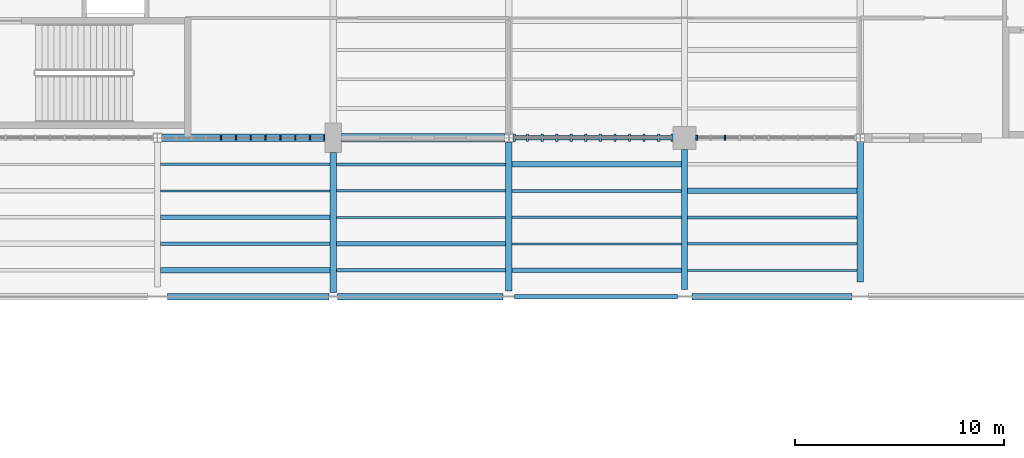
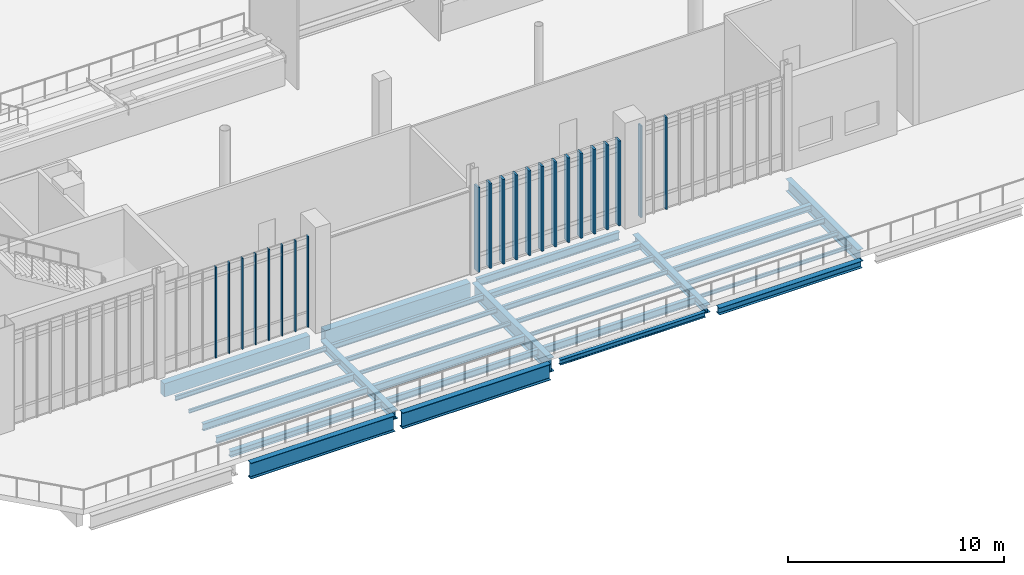
# One storey, part 10 of 135: 30 beams, 22 members, 3 elements without a shape of their own.
"""IFC4 building model written with IfcOpenShell, lengths in metres."""

from ifc_helpers import new_model, si_unit, direction, frame, origin, origin_2d, place, context, subcontext, project, spatial, rectangle, i_section, extrude, material, material_profile, profile_set, type_object, element, aggregate, save


model = new_model("IFC4")

# Units and contexts
model_context = context("Model", 3, precision=1e-05, world=origin(), true_north=direction((0.0, 1.0)))
body_context = subcontext(model_context, "Body", "Model", "MODEL_VIEW")
ifc_project = project(units=[si_unit("LENGTHUNIT", "METRE"), si_unit("AREAUNIT", "SQUARE_METRE"), si_unit("VOLUMEUNIT", "CUBIC_METRE"), si_unit("PLANEANGLEUNIT", "RADIAN"), si_unit("MASSUNIT", "GRAM", prefix="KILO")], contexts=[model_context])

# Site, building, storey
site_placement = place(None, origin())
site = spatial("IfcSite", under=ifc_project, at=site_placement, CompositionType="ELEMENT")
building_placement = place(site_placement, origin())
building = spatial("IfcBuilding", under=site, at=building_placement, Name="Larkvane Passage Sports Hall", CompositionType="ELEMENT")
storey_placement = place(building_placement, frame((0.0, 0.0, 10.800048828125)))
storey = spatial("IfcBuildingStorey", under=building, at=storey_placement, Name="L02", CompositionType="ELEMENT", Elevation=10.800048828125)

# Beams
ifc_material_1 = material(Name="Steel S355JR", Category="steel")
ifc_material_profile_1 = material_profile(ifc_material_1, i_section(OverallWidth=0.199951171875, OverallDepth=0.2939453125, WebThickness=0.008056640625, FlangeThickness=0.011962890625, FilletRadius=0.012939453125, at=origin_2d()), Name="H-294x200x8x12")
ifc_profile_set_1 = profile_set([ifc_material_profile_1], Name="Steel S355JR")
beam_type_1 = type_object("IfcBeamType", Name="BM-STL-H294", PredefinedType="BEAM", material=ifc_profile_set_1)
beam_1_placement = place(storey_placement, frame((60.27490234375, 15.199951171875, -0.567138671875), z_axis=(1.0, 0.0, 0.0), x_axis=(0.0, 1.0, 0.0)))
element("IfcBeam", 1, at=beam_1_placement, inside=storey, type_object=beam_type_1, Name="Girder BM5-X-L02-C-0677", PredefinedType="BEAM", context=body_context, shape_type="SweptSolid", body=[
    extrude(i_section(OverallWidth=0.199951171875, OverallDepth=0.2939453125, WebThickness=0.008056640625, FlangeThickness=0.011962890625, FilletRadius=0.012939453125, at=origin_2d()), origin(), (0.0, 0.0, 1.0), 7.775146484375),
])
ifc_material_profile_2 = material_profile(ifc_material_1, i_section(OverallWidth=0.300048828125, OverallDepth=0.389892578125, WebThickness=0.010009765625, FlangeThickness=0.01611328125, FilletRadius=0.01806640625, at=origin_2d()), Name="H-390x300x10x16")
ifc_profile_set_2 = profile_set([ifc_material_profile_2], Name="Steel S355JR")
beam_type_2 = type_object("IfcBeamType", Name="BM-STL-H390", PredefinedType="BEAM", material=ifc_profile_set_2)
beam_2_placement = place(storey_placement, frame((68.75, 15.199951171875, -0.614990234375), z_axis=(1.0, 0.0, 0.0), x_axis=(0.0, 1.0, 0.0)))
element("IfcBeam", 2, at=beam_2_placement, inside=storey, type_object=beam_type_2, Name="Girder BM5-X-L02-C-0678", PredefinedType="BEAM", context=body_context, shape_type="SweptSolid", body=[
    extrude(i_section(OverallWidth=0.300048828125, OverallDepth=0.389892578125, WebThickness=0.010009765625, FlangeThickness=0.01611328125, FilletRadius=0.01806640625, at=origin_2d()), origin(), (0.0, 0.0, 1.0), 7.64990234375),
])
ifc_material_profile_3 = material_profile(ifc_material_1, i_section(OverallWidth=0.300048828125, OverallDepth=0.43994140625, WebThickness=0.010986328125, FlangeThickness=0.01806640625, FilletRadius=0.01806640625, at=origin_2d()), Name="H-440x300x11x18")
ifc_profile_set_3 = profile_set([ifc_material_profile_3], Name="Steel S355JR")
beam_type_3 = type_object("IfcBeamType", Name="BM-STL-H440", PredefinedType="BEAM", material=ifc_profile_set_3)
beam_3_placement = place(storey_placement, frame((68.39990234375, 15.550048828125, -0.64013671875), z_axis=(0.0, 1.0, 0.0), x_axis=(-1.0, 0.0, 0.0)))
element("IfcBeam", 3, at=beam_3_placement, inside=storey, type_object=beam_type_3, Name="Girder BM5-Y-L02-10-0757", PredefinedType="BEAM", context=body_context, shape_type="SweptSolid", body=[
    extrude(i_section(OverallWidth=0.300048828125, OverallDepth=0.43994140625, WebThickness=0.010986328125, FlangeThickness=0.01806640625, FilletRadius=0.01806640625, at=origin_2d()), origin(), (0.0, 0.0, 1.0), 6.699951171875),
])
ifc_material_profile_4 = material_profile(ifc_material_1, i_section(OverallWidth=0.300048828125, OverallDepth=0.488037109375, WebThickness=0.010986328125, FlangeThickness=0.01806640625, FilletRadius=0.02197265625, at=origin_2d()), Name="H-488x300x11x18")
ifc_profile_set_4 = profile_set([ifc_material_profile_4], Name="Steel S355JR")
beam_type_4 = type_object("IfcBeamType", Name="BM-STL-H488", PredefinedType="BEAM", material=ifc_profile_set_4)
beam_4_placement = place(storey_placement, frame((51.60009765625, 15.4033203125, -0.6640625), z_axis=(0.0, 1.0, 0.0), x_axis=(-1.0, 0.0, 0.0)))
element("IfcBeam", 4, at=beam_4_placement, inside=storey, type_object=beam_type_4, Name="Girder BM5-Y-L02-8-0745", PredefinedType="BEAM", context=body_context, shape_type="SweptSolid", body=[
    extrude(i_section(OverallWidth=0.300048828125, OverallDepth=0.488037109375, WebThickness=0.010986328125, FlangeThickness=0.01806640625, FilletRadius=0.02197265625, at=origin_2d()), origin(), (0.0, 0.0, 1.0), 6.69677734375),
])
ifc_material_2 = material(Name="Steel S460N", Category="steel")
ifc_material_profile_5 = material_profile(ifc_material_2, i_section(OverallWidth=0.300048828125, OverallDepth=0.699951171875, WebThickness=0.012939453125, FlangeThickness=0.02392578125, FilletRadius=0.02197265625, at=origin_2d()), Name="H-700x300x13x24")
ifc_profile_set_5 = profile_set([ifc_material_profile_5], Name="Steel S460N")
beam_type_5 = type_object("IfcBeamType", Name="BM-STL-H700", PredefinedType="BEAM", material=ifc_profile_set_5)
beam_5_placement = place(storey_placement, frame((76.800048828125, 15.89990234375, -0.77001953125), z_axis=(0.0, 1.0, 0.0), x_axis=(-1.0, 0.0, 0.0)))
element("IfcBeam", 5, at=beam_5_placement, inside=storey, type_object=beam_type_5, Name="Girder BM5-Y-L02-11-0763", PredefinedType="BEAM", context=body_context, shape_type="SweptSolid", body=[
    extrude(i_section(OverallWidth=0.300048828125, OverallDepth=0.699951171875, WebThickness=0.012939453125, FlangeThickness=0.02392578125, FilletRadius=0.02197265625, at=origin_2d()), origin(), (0.0, 0.0, 1.0), 6.693115234375),
])
ifc_material_profile_6 = material_profile(ifc_material_2, i_section(OverallWidth=0.300048828125, OverallDepth=0.7919921875, WebThickness=0.013916015625, FlangeThickness=0.02197265625, FilletRadius=0.02197265625, at=origin_2d()), Name="H-792x300x14x22")
ifc_profile_set_6 = profile_set([ifc_material_profile_6], Name="Steel S460N")
beam_type_6 = type_object("IfcBeamType", Name="BM-STL-H792", PredefinedType="BEAM", material=ifc_profile_set_6)
beam_6_placement = place(storey_placement, frame((60.0, 15.47509765625, -0.816162109375), z_axis=(0.0, 1.0, 0.0), x_axis=(-1.0, 0.0, 0.0)))
element("IfcBeam", 6, at=beam_6_placement, inside=storey, type_object=beam_type_6, Name="Girder BM5-Y-L02-9-0751", PredefinedType="BEAM", context=body_context, shape_type="SweptSolid", body=[
    extrude(i_section(OverallWidth=0.300048828125, OverallDepth=0.7919921875, WebThickness=0.013916015625, FlangeThickness=0.02197265625, FilletRadius=0.02197265625, at=origin_2d()), origin(), (0.0, 0.0, 1.0), 7.11083984375),
])
ifc_material_profile_7 = material_profile(ifc_material_2, i_section(OverallWidth=0.299072265625, OverallDepth=0.889892578125, WebThickness=0.014892578125, FlangeThickness=0.02294921875, FilletRadius=0.02197265625, at=origin_2d()), Name="H-890x299x15x23")
ifc_profile_set_7 = profile_set([ifc_material_profile_7], Name="Steel S460N")
beam_type_7 = type_object("IfcBeamType", Name="BM-STL-H890", PredefinedType="BEAM", material=ifc_profile_set_7)
beam_7_placement = place(storey_placement, frame((43.675048828125, 15.199951171875, -0.864990234375), z_axis=(1.0, 0.0, 0.0), x_axis=(0.0, 1.0, 0.0)))
element("IfcBeam", 7, at=beam_7_placement, inside=storey, type_object=beam_type_7, Name="Girder BM5-X-L02-C-0675", PredefinedType="BEAM", context=body_context, shape_type="SweptSolid", body=[
    extrude(i_section(OverallWidth=0.299072265625, OverallDepth=0.889892578125, WebThickness=0.014892578125, FlangeThickness=0.02294921875, FilletRadius=0.02197265625, at=origin_2d()), origin(), (0.0, 0.0, 1.0), 7.7216796875),
])
ifc_material_profile_8 = material_profile(ifc_material_2, i_section(OverallWidth=0.300048828125, OverallDepth=0.89990234375, WebThickness=0.01611328125, FlangeThickness=0.028076171875, FilletRadius=0.02197265625, at=origin_2d()), Name="H-900x300x16x28")
ifc_profile_set_8 = profile_set([ifc_material_profile_8], Name="Steel S460N")
beam_type_8 = type_object("IfcBeamType", Name="BM-STL-H900", PredefinedType="BEAM", material=ifc_profile_set_8)
beam_8_placement = place(storey_placement, frame((51.80322265625, 15.199951171875, -0.8701171875), z_axis=(1.0, 0.0, 0.0), x_axis=(0.0, 1.0, 0.0)))
element("IfcBeam", 8, at=beam_8_placement, inside=storey, type_object=beam_type_8, Name="Girder BM5-X-L02-C-0676", PredefinedType="BEAM", context=body_context, shape_type="SweptSolid", body=[
    extrude(i_section(OverallWidth=0.300048828125, OverallDepth=0.89990234375, WebThickness=0.01611328125, FlangeThickness=0.028076171875, FilletRadius=0.02197265625, at=origin_2d()), origin(), (0.0, 0.0, 1.0), 7.921875),
])

# Curtain wall, members
ifc_material_3 = material(Name="Thermally broken aluminium and low-E glazing", Category="aluminium")
curtain_wall_type_1 = type_object("IfcCurtainWallType", Name="CW-CLINIC", PredefinedType="USERDEFINED", material=ifc_material_3)
curtain_wall_1_placement = place(storey_placement, origin())
curtain_wall_1 = element("IfcCurtainWall", 9, at=curtain_wall_1_placement, inside=storey, type_object=curtain_wall_type_1, Name="Curtain wall CW5-L02-087", ObjectType="UNITISED CURTAIN WALL", PredefinedType="USERDEFINED")
ifc_material_4 = material(Name="Anodised aluminium 6063-T6", Category="aluminium")
ifc_material_profile_9 = material_profile(ifc_material_4, rectangle(XDim=0.110107421875, YDim=0.360107421875, at=origin_2d()), Name="ALU-MUL-110x360")
ifc_profile_set_9 = profile_set([ifc_material_profile_9], Name="Anodised aluminium 6063-T6")
member_type_1 = type_object("IfcMemberType", Name="CW-MUL-110x360", PredefinedType="MULLION", material=ifc_profile_set_9)
member_1_placement = place(storey_placement, frame((67.799072265625, 22.800048828125, 0.0), z_axis=(0.0, 0.0, 1.0), x_axis=(-1.0, 0.0, 0.0)))
member_1 = element("IfcMember", 10, at=member_1_placement, type_object=member_type_1, Name="CW-05 mullion 1", PredefinedType="MULLION", context=body_context, shape_type="SweptSolid", body=[
    extrude(rectangle(XDim=0.110107421875, YDim=0.360107421875, at=origin_2d()), origin(), (0.0, 0.0, 1.0), 4.7978515625),
])
member_2_placement = place(storey_placement, frame((67.158203125, 22.800048828125, 0.0), z_axis=(0.0, 0.0, 1.0), x_axis=(-1.0, 0.0, 0.0)))
member_2 = element("IfcMember", 11, at=member_2_placement, type_object=member_type_1, Name="CW-05 mullion 2", PredefinedType="MULLION", context=body_context, shape_type="SweptSolid", body=[
    extrude(rectangle(XDim=0.110107421875, YDim=0.360107421875, at=origin_2d()), origin(), (0.0, 0.0, 1.0), 4.7978515625),
])
member_3_placement = place(storey_placement, frame((66.462158203125, 22.800048828125, 0.0), z_axis=(0.0, 0.0, 1.0), x_axis=(-1.0, 0.0, 0.0)))
member_3 = element("IfcMember", 12, at=member_3_placement, type_object=member_type_1, Name="CW-05 mullion 3", PredefinedType="MULLION", context=body_context, shape_type="SweptSolid", body=[
    extrude(rectangle(XDim=0.110107421875, YDim=0.360107421875, at=origin_2d()), origin(), (0.0, 0.0, 1.0), 4.7978515625),
])
member_4_placement = place(storey_placement, frame((65.766357421875, 22.800048828125, 0.0), z_axis=(0.0, 0.0, 1.0), x_axis=(-1.0, 0.0, 0.0)))
member_4 = element("IfcMember", 13, at=member_4_placement, type_object=member_type_1, Name="CW-05 mullion 4", PredefinedType="MULLION", context=body_context, shape_type="SweptSolid", body=[
    extrude(rectangle(XDim=0.110107421875, YDim=0.360107421875, at=origin_2d()), origin(), (0.0, 0.0, 1.0), 4.7978515625),
])
member_5_placement = place(storey_placement, frame((65.070556640625, 22.800048828125, 0.0), z_axis=(0.0, 0.0, 1.0), x_axis=(-1.0, 0.0, 0.0)))
member_5 = element("IfcMember", 14, at=member_5_placement, type_object=member_type_1, Name="CW-05 mullion 5", PredefinedType="MULLION", context=body_context, shape_type="SweptSolid", body=[
    extrude(rectangle(XDim=0.110107421875, YDim=0.360107421875, at=origin_2d()), origin(), (0.0, 0.0, 1.0), 4.7978515625),
])
member_6_placement = place(storey_placement, frame((64.374755859375, 22.800048828125, 0.0), z_axis=(0.0, 0.0, 1.0), x_axis=(-1.0, 0.0, 0.0)))
member_6 = element("IfcMember", 15, at=member_6_placement, type_object=member_type_1, Name="CW-05 mullion 6", PredefinedType="MULLION", context=body_context, shape_type="SweptSolid", body=[
    extrude(rectangle(XDim=0.110107421875, YDim=0.360107421875, at=origin_2d()), origin(), (0.0, 0.0, 1.0), 4.7978515625),
])
member_7_placement = place(storey_placement, frame((63.6787109375, 22.800048828125, 0.0), z_axis=(0.0, 0.0, 1.0), x_axis=(-1.0, 0.0, 0.0)))
member_7 = element("IfcMember", 16, at=member_7_placement, type_object=member_type_1, Name="CW-05 mullion 7", PredefinedType="MULLION", context=body_context, shape_type="SweptSolid", body=[
    extrude(rectangle(XDim=0.110107421875, YDim=0.360107421875, at=origin_2d()), origin(), (0.0, 0.0, 1.0), 4.7978515625),
])
member_8_placement = place(storey_placement, frame((62.98291015625, 22.800048828125, 0.0), z_axis=(0.0, 0.0, 1.0), x_axis=(-1.0, 0.0, 0.0)))
member_8 = element("IfcMember", 17, at=member_8_placement, type_object=member_type_1, Name="CW-05 mullion 8", PredefinedType="MULLION", context=body_context, shape_type="SweptSolid", body=[
    extrude(rectangle(XDim=0.110107421875, YDim=0.360107421875, at=origin_2d()), origin(), (0.0, 0.0, 1.0), 4.7978515625),
])
member_9_placement = place(storey_placement, frame((62.287109375, 22.800048828125, 0.0), z_axis=(0.0, 0.0, 1.0), x_axis=(-1.0, 0.0, 0.0)))
member_9 = element("IfcMember", 18, at=member_9_placement, type_object=member_type_1, Name="CW-05 mullion 9", PredefinedType="MULLION", context=body_context, shape_type="SweptSolid", body=[
    extrude(rectangle(XDim=0.110107421875, YDim=0.360107421875, at=origin_2d()), origin(), (0.0, 0.0, 1.0), 4.7978515625),
])
member_10_placement = place(storey_placement, frame((61.59130859375, 22.800048828125, 0.0), z_axis=(0.0, 0.0, 1.0), x_axis=(-1.0, 0.0, 0.0)))
member_10 = element("IfcMember", 19, at=member_10_placement, type_object=member_type_1, Name="CW-05 mullion 10", PredefinedType="MULLION", context=body_context, shape_type="SweptSolid", body=[
    extrude(rectangle(XDim=0.110107421875, YDim=0.360107421875, at=origin_2d()), origin(), (0.0, 0.0, 1.0), 4.7978515625),
])
member_11_placement = place(storey_placement, frame((60.895263671875, 22.800048828125, 0.0), z_axis=(0.0, 0.0, 1.0), x_axis=(-1.0, 0.0, 0.0)))
member_11 = element("IfcMember", 20, at=member_11_placement, type_object=member_type_1, Name="CW-05 mullion 11", PredefinedType="MULLION", context=body_context, shape_type="SweptSolid", body=[
    extrude(rectangle(XDim=0.110107421875, YDim=0.360107421875, at=origin_2d()), origin(), (0.0, 0.0, 1.0), 4.7978515625),
])
member_12_placement = place(storey_placement, frame((60.25439453125, 22.800048828125, 0.0), z_axis=(0.0, 0.0, 1.0), x_axis=(-1.0, 0.0, 0.0)))
member_12 = element("IfcMember", 21, at=member_12_placement, type_object=member_type_1, Name="CW-05 mullion 12", PredefinedType="MULLION", context=body_context, shape_type="SweptSolid", body=[
    extrude(rectangle(XDim=0.110107421875, YDim=0.360107421875, at=origin_2d()), origin(), (0.0, 0.0, 1.0), 4.7978515625),
])
aggregate(curtain_wall_1, [member_1, member_2, member_3, member_4, member_5, member_6, member_7, member_8, member_9, member_10, member_11, member_12])

curtain_wall_type_2 = type_object("IfcCurtainWallType", Name="CW-UNIT-COURT", PredefinedType="USERDEFINED", material=ifc_material_3)
curtain_wall_2_placement = place(storey_placement, origin())
curtain_wall_2 = element("IfcCurtainWall", 22, at=curtain_wall_2_placement, inside=storey, type_object=curtain_wall_type_2, Name="Curtain wall CW5-L02-088", ObjectType="UNITISED CURTAIN WALL", PredefinedType="USERDEFINED")
ifc_material_profile_10 = material_profile(ifc_material_4, rectangle(XDim=0.06494140625, YDim=0.179931640625, at=origin_2d()), Name="ALU-MUL-65x180")
ifc_profile_set_10 = profile_set([ifc_material_profile_10], Name="Anodised aluminium 6063-T6")
member_type_2 = type_object("IfcMemberType", Name="CW-MUL-65x180", PredefinedType="MULLION", material=ifc_profile_set_10)
member_13_placement = place(storey_placement, frame((51.17138671875, 22.800048828125, 0.0), z_axis=(0.0, 0.0, 1.0), x_axis=(-1.0, 0.0, 0.0)))
member_13 = element("IfcMember", 23, at=member_13_placement, type_object=member_type_2, Name="CW-01 mullion 1", PredefinedType="MULLION", context=body_context, shape_type="SweptSolid", body=[
    extrude(rectangle(XDim=0.06494140625, YDim=0.179931640625, at=origin_2d()), origin(), (0.0, 0.0, 1.0), 5.14794921875),
])
member_14_placement = place(storey_placement, frame((50.494873046875, 22.800048828125, 0.0), z_axis=(0.0, 0.0, 1.0), x_axis=(-1.0, 0.0, 0.0)))
member_14 = element("IfcMember", 24, at=member_14_placement, type_object=member_type_2, Name="CW-01 mullion 2", PredefinedType="MULLION", context=body_context, shape_type="SweptSolid", body=[
    extrude(rectangle(XDim=0.06494140625, YDim=0.179931640625, at=origin_2d()), origin(), (0.0, 0.0, 1.0), 5.14794921875),
])
member_15_placement = place(storey_placement, frame((49.785888671875, 22.800048828125, 0.0), z_axis=(0.0, 0.0, 1.0), x_axis=(-1.0, 0.0, 0.0)))
member_15 = element("IfcMember", 25, at=member_15_placement, type_object=member_type_2, Name="CW-01 mullion 3", PredefinedType="MULLION", context=body_context, shape_type="SweptSolid", body=[
    extrude(rectangle(XDim=0.06494140625, YDim=0.179931640625, at=origin_2d()), origin(), (0.0, 0.0, 1.0), 5.14794921875),
])
member_16_placement = place(storey_placement, frame((49.076904296875, 22.800048828125, 0.0), z_axis=(0.0, 0.0, 1.0), x_axis=(-1.0, 0.0, 0.0)))
member_16 = element("IfcMember", 26, at=member_16_placement, type_object=member_type_2, Name="CW-01 mullion 4", PredefinedType="MULLION", context=body_context, shape_type="SweptSolid", body=[
    extrude(rectangle(XDim=0.06494140625, YDim=0.179931640625, at=origin_2d()), origin(), (0.0, 0.0, 1.0), 5.14794921875),
])
member_17_placement = place(storey_placement, frame((48.367919921875, 22.800048828125, 0.0), z_axis=(0.0, 0.0, 1.0), x_axis=(-1.0, 0.0, 0.0)))
member_17 = element("IfcMember", 27, at=member_17_placement, type_object=member_type_2, Name="CW-01 mullion 5", PredefinedType="MULLION", context=body_context, shape_type="SweptSolid", body=[
    extrude(rectangle(XDim=0.06494140625, YDim=0.179931640625, at=origin_2d()), origin(), (0.0, 0.0, 1.0), 5.14794921875),
])
member_18_placement = place(storey_placement, frame((47.65869140625, 22.800048828125, 0.0), z_axis=(0.0, 0.0, 1.0), x_axis=(-1.0, 0.0, 0.0)))
member_18 = element("IfcMember", 28, at=member_18_placement, type_object=member_type_2, Name="CW-01 mullion 6", PredefinedType="MULLION", context=body_context, shape_type="SweptSolid", body=[
    extrude(rectangle(XDim=0.06494140625, YDim=0.179931640625, at=origin_2d()), origin(), (0.0, 0.0, 1.0), 5.14794921875),
])
member_19_placement = place(storey_placement, frame((46.94970703125, 22.800048828125, 0.0), z_axis=(0.0, 0.0, 1.0), x_axis=(-1.0, 0.0, 0.0)))
member_19 = element("IfcMember", 29, at=member_19_placement, type_object=member_type_2, Name="CW-01 mullion 7", PredefinedType="MULLION", context=body_context, shape_type="SweptSolid", body=[
    extrude(rectangle(XDim=0.06494140625, YDim=0.179931640625, at=origin_2d()), origin(), (0.0, 0.0, 1.0), 5.14794921875),
])
member_20_placement = place(storey_placement, frame((46.24072265625, 22.800048828125, 0.0), z_axis=(0.0, 0.0, 1.0), x_axis=(-1.0, 0.0, 0.0)))
member_20 = element("IfcMember", 30, at=member_20_placement, type_object=member_type_2, Name="CW-01 mullion 8", PredefinedType="MULLION", context=body_context, shape_type="SweptSolid", body=[
    extrude(rectangle(XDim=0.06494140625, YDim=0.179931640625, at=origin_2d()), origin(), (0.0, 0.0, 1.0), 5.14794921875),
])
aggregate(curtain_wall_2, [member_13, member_14, member_15, member_16, member_17, member_18, member_19, member_20])

curtain_wall_type_3 = type_object("IfcCurtainWallType", Name="CW-STICK-FOYER", PredefinedType="USERDEFINED", material=ifc_material_3)
curtain_wall_3_placement = place(storey_placement, origin())
curtain_wall_3 = element("IfcCurtainWall", 31, at=curtain_wall_3_placement, inside=storey, type_object=curtain_wall_type_3, Name="Curtain wall CW5-L02-086", ObjectType="STICK CURTAIN WALL", PredefinedType="USERDEFINED")
ifc_material_profile_11 = material_profile(ifc_material_4, rectangle(XDim=0.080078125, YDim=0.25, at=origin_2d()), Name="ALU-MUL-80x250")
ifc_profile_set_11 = profile_set([ifc_material_profile_11], Name="Anodised aluminium 6063-T6")
member_type_3 = type_object("IfcMemberType", Name="CW-MUL-80x250", PredefinedType="MULLION", material=ifc_profile_set_11)
member_21_placement = place(storey_placement, frame((70.337890625, 22.800048828125, 0.0), z_axis=(0.0, 0.0, 1.0), x_axis=(-1.0, 0.0, 0.0)))
member_21 = element("IfcMember", 32, at=member_21_placement, type_object=member_type_3, Name="CW-03 mullion 10", PredefinedType="MULLION", context=body_context, shape_type="SweptSolid", body=[
    extrude(rectangle(XDim=0.080078125, YDim=0.25, at=origin_2d()), origin(), (0.0, 0.0, 1.0), 5.197998046875),
])
member_22_placement = place(storey_placement, frame((68.986083984375, 22.800048828125, 0.0), z_axis=(0.0, 0.0, 1.0), x_axis=(-1.0, 0.0, 0.0)))
member_22 = element("IfcMember", 33, at=member_22_placement, type_object=member_type_3, Name="CW-03 mullion 12", PredefinedType="MULLION", context=body_context, shape_type="SweptSolid", body=[
    extrude(rectangle(XDim=0.080078125, YDim=0.25, at=origin_2d()), origin(), (0.0, 0.0, 1.0), 5.197998046875),
])
aggregate(curtain_wall_3, [member_21, member_22])

# Beams
ifc_material_profile_12 = material_profile(ifc_material_1, i_section(OverallWidth=0.10009765625, OverallDepth=0.199951171875, WebThickness=0.005615234375, FlangeThickness=0.008056640625, FilletRadius=0.008056640625, at=origin_2d()), Name="H-200x100x5.5x8")
ifc_profile_set_12 = profile_set([ifc_material_profile_12], Name="Steel S355JR")
beam_type_9 = type_object("IfcBeamType", Name="JST-STL-H200", PredefinedType="JOIST", material=ifc_profile_set_12)
beam_9_placement = place(storey_placement, frame((43.35009765625, 20.2666015625, -0.52001953125), z_axis=(1.0, 0.0, 0.0), x_axis=(0.0, 1.0, 0.0)))
element("IfcBeam", 34, at=beam_9_placement, inside=storey, type_object=beam_type_9, Name="Composite joist L02 7/C-4", PredefinedType="JOIST", context=body_context, shape_type="SweptSolid", body=[
    extrude(i_section(OverallWidth=0.10009765625, OverallDepth=0.199951171875, WebThickness=0.005615234375, FlangeThickness=0.008056640625, FilletRadius=0.008056640625, at=origin_2d()), origin(), (0.0, 0.0, 1.0), 8.099853515625),
])
for number, where, z_axis, x_axis, name in (
    (35, (51.75, 19.0, -0.52001953125), (1.0, 0.0, 0.0), (0.0, 1.0, 0.0), "Composite joist L02 8/C-3"),
    (36, (60.14990234375, 17.7333984375, -0.52001953125), (1.0, 0.0, 0.0), (0.0, 1.0, 0.0), "Composite joist L02 9/C-2"),
):
    element("IfcBeam", number, at=place(storey_placement, frame(where, z_axis=z_axis, x_axis=x_axis)), inside=storey, type_object=beam_type_9, Name=name, PredefinedType="JOIST", context=body_context, shape_type="SweptSolid", body=[
        extrude(i_section(OverallWidth=0.10009765625, OverallDepth=0.199951171875, WebThickness=0.005615234375, FlangeThickness=0.008056640625, FilletRadius=0.008056640625, at=origin_2d()), origin(), (0.0, 0.0, 1.0), 8.10009765625),
    ])
beam_10_placement = place(storey_placement, frame((68.550048828125, 16.466552734375, -0.52001953125), z_axis=(1.0, 0.0, 0.0), x_axis=(0.0, 1.0, 0.0)))
element("IfcBeam", 37, at=beam_10_placement, inside=storey, type_object=beam_type_9, Name="Composite joist L02 10/C-1", PredefinedType="JOIST", context=body_context, shape_type="SweptSolid", body=[
    extrude(i_section(OverallWidth=0.10009765625, OverallDepth=0.199951171875, WebThickness=0.005615234375, FlangeThickness=0.008056640625, FilletRadius=0.008056640625, at=origin_2d()), origin(), (0.0, 0.0, 1.0), 8.099853515625),
])
ifc_material_profile_13 = material_profile(ifc_material_1, i_section(OverallWidth=0.125, OverallDepth=0.25, WebThickness=0.006103515625, FlangeThickness=0.009033203125, FilletRadius=0.008056640625, at=origin_2d()), Name="H-250x125x6x9")
ifc_profile_set_13 = profile_set([ifc_material_profile_13], Name="Steel S355JR")
beam_type_10 = type_object("IfcBeamType", Name="JST-STL-H250", PredefinedType="JOIST", material=ifc_profile_set_13)
beam_11_placement = place(storey_placement, frame((43.35009765625, 21.533447265625, -0.545166015625), z_axis=(1.0, 0.0, 0.0), x_axis=(0.0, 1.0, 0.0)))
element("IfcBeam", 38, at=beam_11_placement, inside=storey, type_object=beam_type_10, Name="Composite joist L02 7/C-5", PredefinedType="JOIST", context=body_context, shape_type="SweptSolid", body=[
    extrude(i_section(OverallWidth=0.125, OverallDepth=0.25, WebThickness=0.006103515625, FlangeThickness=0.009033203125, FilletRadius=0.008056640625, at=origin_2d()), origin(), (0.0, 0.0, 1.0), 8.099853515625),
])
for number, where, z_axis, x_axis, name in (
    (39, (51.75, 20.2666015625, -0.545166015625), (1.0, 0.0, 0.0), (0.0, 1.0, 0.0), "Composite joist L02 8/C-4"),
    (40, (60.14990234375, 19.0, -0.545166015625), (1.0, 0.0, 0.0), (0.0, 1.0, 0.0), "Composite joist L02 9/C-3"),
):
    element("IfcBeam", number, at=place(storey_placement, frame(where, z_axis=z_axis, x_axis=x_axis)), inside=storey, type_object=beam_type_10, Name=name, PredefinedType="JOIST", context=body_context, shape_type="SweptSolid", body=[
        extrude(i_section(OverallWidth=0.125, OverallDepth=0.25, WebThickness=0.006103515625, FlangeThickness=0.009033203125, FilletRadius=0.008056640625, at=origin_2d()), origin(), (0.0, 0.0, 1.0), 8.10009765625),
    ])
beam_12_placement = place(storey_placement, frame((68.550048828125, 17.7333984375, -0.545166015625), z_axis=(1.0, 0.0, 0.0), x_axis=(0.0, 1.0, 0.0)))
element("IfcBeam", 41, at=beam_12_placement, inside=storey, type_object=beam_type_10, Name="Composite joist L02 10/C-2", PredefinedType="JOIST", context=body_context, shape_type="SweptSolid", body=[
    extrude(i_section(OverallWidth=0.125, OverallDepth=0.25, WebThickness=0.006103515625, FlangeThickness=0.009033203125, FilletRadius=0.008056640625, at=origin_2d()), origin(), (0.0, 0.0, 1.0), 8.099853515625),
])
ifc_material_profile_14 = material_profile(ifc_material_1, i_section(OverallWidth=0.14990234375, OverallDepth=0.300048828125, WebThickness=0.006591796875, FlangeThickness=0.009033203125, FilletRadius=0.012939453125, at=origin_2d()), Name="H-300x150x6.5x9")
ifc_profile_set_14 = profile_set([ifc_material_profile_14], Name="Steel S355JR")
beam_type_11 = type_object("IfcBeamType", Name="JST-STL-H300", PredefinedType="JOIST", material=ifc_profile_set_14)
for number, where, z_axis, x_axis, name in (
    (42, (51.75, 21.533447265625, -0.570068359375), (1.0, 0.0, 0.0), (0.0, 1.0, 0.0), "Composite joist L02 8/C-5"),
    (43, (60.14990234375, 20.2666015625, -0.570068359375), (1.0, 0.0, 0.0), (0.0, 1.0, 0.0), "Composite joist L02 9/C-4"),
):
    element("IfcBeam", number, at=place(storey_placement, frame(where, z_axis=z_axis, x_axis=x_axis)), inside=storey, type_object=beam_type_11, Name=name, PredefinedType="JOIST", context=body_context, shape_type="SweptSolid", body=[
        extrude(i_section(OverallWidth=0.14990234375, OverallDepth=0.300048828125, WebThickness=0.006591796875, FlangeThickness=0.009033203125, FilletRadius=0.012939453125, at=origin_2d()), origin(), (0.0, 0.0, 1.0), 8.10009765625),
    ])
beam_13_placement = place(storey_placement, frame((68.550048828125, 19.0, -0.570068359375), z_axis=(1.0, 0.0, 0.0), x_axis=(0.0, 1.0, 0.0)))
element("IfcBeam", 44, at=beam_13_placement, inside=storey, type_object=beam_type_11, Name="Composite joist L02 10/C-3", PredefinedType="JOIST", context=body_context, shape_type="SweptSolid", body=[
    extrude(i_section(OverallWidth=0.14990234375, OverallDepth=0.300048828125, WebThickness=0.006591796875, FlangeThickness=0.009033203125, FilletRadius=0.012939453125, at=origin_2d()), origin(), (0.0, 0.0, 1.0), 8.099853515625),
])
ifc_material_profile_15 = material_profile(ifc_material_1, i_section(OverallWidth=0.25, OverallDepth=0.340087890625, WebThickness=0.009033203125, FlangeThickness=0.013916015625, FilletRadius=0.012939453125, at=origin_2d()), Name="H-340x250x9x14")
ifc_profile_set_15 = profile_set([ifc_material_profile_15], Name="Steel S355JR")
beam_type_12 = type_object("IfcBeamType", Name="JST-STL-H340", PredefinedType="JOIST", material=ifc_profile_set_15)
beam_14_placement = place(storey_placement, frame((43.35009765625, 16.466552734375, -0.590087890625), z_axis=(1.0, 0.0, 0.0), x_axis=(0.0, 1.0, 0.0)))
element("IfcBeam", 45, at=beam_14_placement, inside=storey, type_object=beam_type_12, Name="Composite joist L02 7/C-1", PredefinedType="JOIST", context=body_context, shape_type="SweptSolid", body=[
    extrude(i_section(OverallWidth=0.25, OverallDepth=0.340087890625, WebThickness=0.009033203125, FlangeThickness=0.013916015625, FilletRadius=0.012939453125, at=origin_2d()), origin(), (0.0, 0.0, 1.0), 8.099853515625),
])
beam_15_placement = place(storey_placement, frame((60.14990234375, 21.533447265625, -0.590087890625), z_axis=(1.0, 0.0, 0.0), x_axis=(0.0, 1.0, 0.0)))
element("IfcBeam", 46, at=beam_15_placement, inside=storey, type_object=beam_type_12, Name="Composite joist L02 9/C-5", PredefinedType="JOIST", context=body_context, shape_type="SweptSolid", body=[
    extrude(i_section(OverallWidth=0.25, OverallDepth=0.340087890625, WebThickness=0.009033203125, FlangeThickness=0.013916015625, FilletRadius=0.012939453125, at=origin_2d()), origin(), (0.0, 0.0, 1.0), 8.10009765625),
])
beam_16_placement = place(storey_placement, frame((68.550048828125, 20.2666015625, -0.590087890625), z_axis=(1.0, 0.0, 0.0), x_axis=(0.0, 1.0, 0.0)))
element("IfcBeam", 47, at=beam_16_placement, inside=storey, type_object=beam_type_12, Name="Composite joist L02 10/C-4", PredefinedType="JOIST", context=body_context, shape_type="SweptSolid", body=[
    extrude(i_section(OverallWidth=0.25, OverallDepth=0.340087890625, WebThickness=0.009033203125, FlangeThickness=0.013916015625, FilletRadius=0.012939453125, at=origin_2d()), origin(), (0.0, 0.0, 1.0), 8.099853515625),
])
ifc_material_profile_16 = material_profile(ifc_material_1, i_section(OverallWidth=0.175048828125, OverallDepth=0.35009765625, WebThickness=0.007080078125, FlangeThickness=0.010986328125, FilletRadius=0.012939453125, at=origin_2d()), Name="H-350x175x7x11")
ifc_profile_set_16 = profile_set([ifc_material_profile_16], Name="Steel S355JR")
beam_type_13 = type_object("IfcBeamType", Name="JST-STL-H350", PredefinedType="JOIST", material=ifc_profile_set_16)
beam_17_placement = place(storey_placement, frame((43.35009765625, 17.7333984375, -0.594970703125), z_axis=(1.0, 0.0, 0.0), x_axis=(0.0, 1.0, 0.0)))
element("IfcBeam", 48, at=beam_17_placement, inside=storey, type_object=beam_type_13, Name="Composite joist L02 7/C-2", PredefinedType="JOIST", context=body_context, shape_type="SweptSolid", body=[
    extrude(i_section(OverallWidth=0.175048828125, OverallDepth=0.35009765625, WebThickness=0.007080078125, FlangeThickness=0.010986328125, FilletRadius=0.012939453125, at=origin_2d()), origin(), (0.0, 0.0, 1.0), 8.099853515625),
])
beam_18_placement = place(storey_placement, frame((51.75, 16.466552734375, -0.594970703125), z_axis=(1.0, 0.0, 0.0), x_axis=(0.0, 1.0, 0.0)))
element("IfcBeam", 49, at=beam_18_placement, inside=storey, type_object=beam_type_13, Name="Composite joist L02 8/C-1", PredefinedType="JOIST", context=body_context, shape_type="SweptSolid", body=[
    extrude(i_section(OverallWidth=0.175048828125, OverallDepth=0.35009765625, WebThickness=0.007080078125, FlangeThickness=0.010986328125, FilletRadius=0.012939453125, at=origin_2d()), origin(), (0.0, 0.0, 1.0), 8.10009765625),
])
ifc_material_profile_17 = material_profile(ifc_material_1, i_section(OverallWidth=0.199951171875, OverallDepth=0.39990234375, WebThickness=0.008056640625, FlangeThickness=0.012939453125, FilletRadius=0.012939453125, at=origin_2d()), Name="H-400x200x8x13")
ifc_profile_set_17 = profile_set([ifc_material_profile_17], Name="Steel S355JR")
beam_type_14 = type_object("IfcBeamType", Name="JST-STL-H400", PredefinedType="JOIST", material=ifc_profile_set_17)
beam_19_placement = place(storey_placement, frame((43.35009765625, 19.0, -0.6201171875), z_axis=(1.0, 0.0, 0.0), x_axis=(0.0, 1.0, 0.0)))
element("IfcBeam", 50, at=beam_19_placement, inside=storey, type_object=beam_type_14, Name="Composite joist L02 7/C-3", PredefinedType="JOIST", context=body_context, shape_type="SweptSolid", body=[
    extrude(i_section(OverallWidth=0.199951171875, OverallDepth=0.39990234375, WebThickness=0.008056640625, FlangeThickness=0.012939453125, FilletRadius=0.012939453125, at=origin_2d()), origin(), (0.0, 0.0, 1.0), 8.099853515625),
])
for number, where, z_axis, x_axis, name in (
    (51, (51.75, 17.7333984375, -0.6201171875), (1.0, 0.0, 0.0), (0.0, 1.0, 0.0), "Composite joist L02 8/C-2"),
    (52, (60.14990234375, 16.466552734375, -0.6201171875), (1.0, 0.0, 0.0), (0.0, 1.0, 0.0), "Composite joist L02 9/C-1"),
):
    element("IfcBeam", number, at=place(storey_placement, frame(where, z_axis=z_axis, x_axis=x_axis)), inside=storey, type_object=beam_type_14, Name=name, PredefinedType="JOIST", context=body_context, shape_type="SweptSolid", body=[
        extrude(i_section(OverallWidth=0.199951171875, OverallDepth=0.39990234375, WebThickness=0.008056640625, FlangeThickness=0.012939453125, FilletRadius=0.012939453125, at=origin_2d()), origin(), (0.0, 0.0, 1.0), 8.10009765625),
    ])
ifc_material_5 = material(Name="Concrete C40/50", Category="concrete")
ifc_material_profile_18 = material_profile(ifc_material_5, rectangle(XDim=0.35009765625, YDim=0.75, at=origin_2d()), Name="RC-SP-350x750")
ifc_profile_set_18 = profile_set([ifc_material_profile_18], Name="Concrete C40/50")
beam_type_15 = type_object("IfcBeamType", Name="SP-RC-350x750", PredefinedType="SPANDREL", material=ifc_profile_set_18)
beam_20_placement = place(storey_placement, frame((43.408447265625, 22.800048828125, -0.795166015625), z_axis=(1.0, 0.0, 0.0), x_axis=(0.0, 1.0, 0.0)))
element("IfcBeam", 53, at=beam_20_placement, inside=storey, type_object=beam_type_15, Name="Girder BM5-X-L02-D-0681", PredefinedType="SPANDREL", context=body_context, shape_type="SweptSolid", body=[
    extrude(rectangle(XDim=0.35009765625, YDim=0.75, at=origin_2d()), origin(), (0.0, 0.0, 1.0), 7.79150390625),
])
ifc_material_profile_19 = material_profile(ifc_material_5, rectangle(XDim=0.39990234375, YDim=0.85009765625, at=origin_2d()), Name="RC-SP-400x850")
ifc_profile_set_19 = profile_set([ifc_material_profile_19], Name="Concrete C40/50")
beam_type_16 = type_object("IfcBeamType", Name="SP-RC-400x850", PredefinedType="SPANDREL", material=ifc_profile_set_19)
beam_21_placement = place(storey_placement, frame((52.0, 22.800048828125, -0.844970703125), z_axis=(1.0, 0.0, 0.0), x_axis=(0.0, 1.0, 0.0)))
element("IfcBeam", 54, at=beam_21_placement, inside=storey, type_object=beam_type_16, Name="Girder BM5-X-L02-D-0682", PredefinedType="SPANDREL", context=body_context, shape_type="SweptSolid", body=[
    extrude(rectangle(XDim=0.39990234375, YDim=0.85009765625, at=origin_2d()), origin(), (0.0, 0.0, 1.0), 7.79638671875),
])
ifc_material_profile_20 = material_profile(ifc_material_1, i_section(OverallWidth=0.199951171875, OverallDepth=0.449951171875, WebThickness=0.009033203125, FlangeThickness=0.013916015625, FilletRadius=0.01806640625, at=origin_2d()), Name="H-450x200x9x14")
ifc_profile_set_20 = profile_set([ifc_material_profile_20], Name="Steel S355JR")
beam_type_17 = type_object("IfcBeamType", Name="SP-STL-H450", PredefinedType="SPANDREL", material=ifc_profile_set_20)
beam_22_placement = place(storey_placement, frame((60.20361328125, 22.800048828125, -0.64501953125), z_axis=(1.0, 0.0, 0.0), x_axis=(0.0, 1.0, 0.0)))
element("IfcBeam", 55, at=beam_22_placement, inside=storey, type_object=beam_type_17, Name="Girder BM5-X-L02-D-0683", PredefinedType="SPANDREL", context=body_context, shape_type="SweptSolid", body=[
    extrude(i_section(OverallWidth=0.199951171875, OverallDepth=0.449951171875, WebThickness=0.009033203125, FlangeThickness=0.013916015625, FilletRadius=0.01806640625, at=origin_2d()), origin(), (0.0, 0.0, 1.0), 7.646484375),
])

save(model, "model.ifc")
